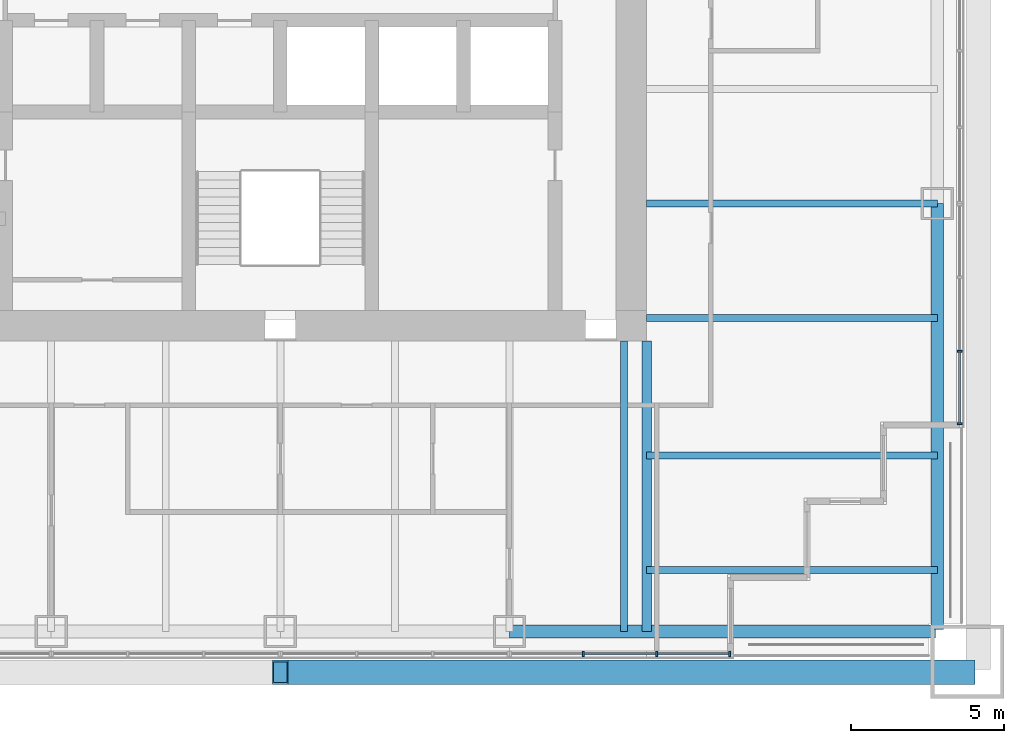
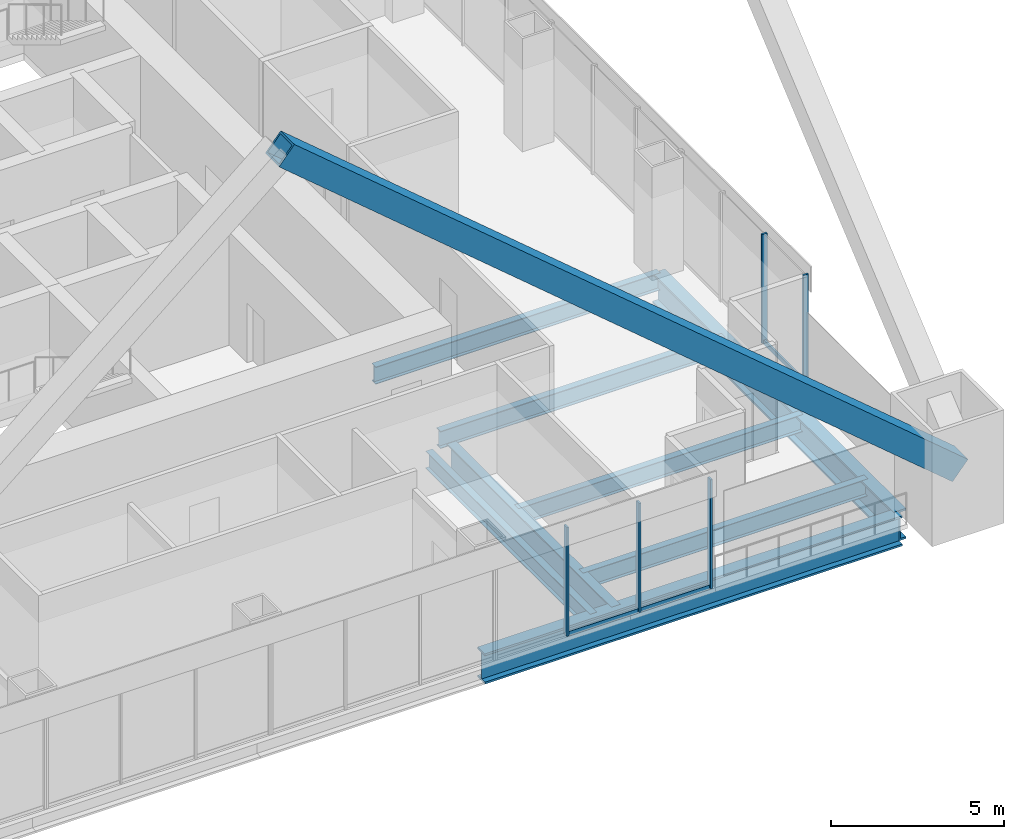
# One storey, part 6 of 19: 9 members, 8 beams, 2 elements without a shape of their own.
"""IFC4 building model written with IfcOpenShell, lengths in metres."""

import ifcopenshell
import ifcopenshell.guid

model = None  # the IFC model being written
_history = None  # IfcOwnerHistory: only IFC2X3 demands one
_inside = {}  # id of a spatial element -> (the spatial element, [elements in it])
_under = {}  # id of a project, library or spatial element -> (it, [spatial elements below it])
_declared = {}  # id of a project -> (the project, [libraries it declares])
_typed = {}  # id of a type object -> (the type object, [elements of that type])
_made_of = {}  # id of a material, layer set ... -> (it, [elements and type objects made of it])


def new_model(schema):
    """Start an empty IFC model of exactly this schema.

    Asked for "IFC4X3", IfcOpenShell would pick the latest addendum, in which some entities
    have other attributes; the version numbers below select the first issue.
    IFC2X3 requires an IfcOwnerHistory on every rooted entity: one is made here for all.
    """
    global model, _history
    if schema == "IFC4X3":
        model = ifcopenshell.file(schema_version=(4, 3, 0, 0))
    else:
        model = ifcopenshell.file(schema=schema)
    _inside.clear()
    _under.clear()
    _declared.clear()
    _typed.clear()
    _made_of.clear()
    _history = None
    if model.schema == "IFC2X3":
        org = make("IfcOrganization", Name="unknown")
        user = make(
            "IfcPersonAndOrganization",
            ThePerson=make("IfcPerson", FamilyName="unknown"),
            TheOrganization=org,
        )
        app = make(
            "IfcApplication",
            ApplicationDeveloper=org,
            Version="unknown",
            ApplicationFullName="unknown",
            ApplicationIdentifier="unknown",
        )
        _history = make(
            "IfcOwnerHistory",
            OwningUser=user,
            OwningApplication=app,
            ChangeAction="ADDED",
            CreationDate=0,
        )
    return model


def make(cls, **values):
    """One entity of the class cls with the attributes given. An attribute that is None is left unset."""
    return model.create_entity(
        cls, **{name: value for name, value in values.items() if value is not None}
    )


def rooted(cls, **values):
    """An entity with a GlobalId (a new one), such as an element, a storey or a relation."""
    return make(cls, GlobalId=ifcopenshell.guid.new(), OwnerHistory=_history, **values)


def si_unit(unit_type, name, prefix=None):
    """IfcSIUnit, for example si_unit("LENGTHUNIT", "METRE", prefix="MILLI")."""
    return make("IfcSIUnit", UnitType=unit_type, Prefix=prefix, Name=name)


def assignment(units):
    """IfcUnitAssignment: the units of a project."""
    return None if units is None else make("IfcUnitAssignment", Units=units)


def point(xyz):
    """IfcCartesianPoint."""
    return None if xyz is None else make("IfcCartesianPoint", Coordinates=xyz)


def direction(xyz):
    """IfcDirection."""
    return None if xyz is None else make("IfcDirection", DirectionRatios=xyz)


def frame(location, z_axis=None, x_axis=None):
    """IfcAxis2Placement3D, a coordinate frame: its origin and axes. An axis left out is left unset."""
    return make(
        "IfcAxis2Placement3D",
        Location=point(location),
        Axis=direction(z_axis),
        RefDirection=direction(x_axis),
    )


def frame_2d(location, x_axis=None):
    """IfcAxis2Placement2D, a coordinate frame in the plane: its origin and x axis."""
    return make(
        "IfcAxis2Placement2D", Location=point(location), RefDirection=direction(x_axis)
    )


def origin():
    """The frame at (0, 0, 0) with its axes left unset."""
    return frame((0.0, 0.0, 0.0))


def origin_2d():
    """The frame at (0, 0) in the plane with its x axis left unset."""
    return frame_2d((0.0, 0.0))


def place(relative_to, where):
    """IfcLocalPlacement: puts the frame where relative to a parent placement (None: the world)."""
    return make(
        "IfcLocalPlacement", PlacementRelTo=relative_to, RelativePlacement=where
    )


def context(
    kind, dimensions, precision=None, world=None, true_north=None, identifier=None
):
    """IfcGeometricRepresentationContext, for example the 3D "Model" context."""
    return make(
        "IfcGeometricRepresentationContext",
        ContextIdentifier=identifier,
        ContextType=kind,
        CoordinateSpaceDimension=dimensions,
        Precision=precision,
        WorldCoordinateSystem=world,
        TrueNorth=true_north,
    )


def subcontext(parent, identifier, kind, view, scale=None):
    """IfcGeometricRepresentationSubContext, for example "Body" below "Model"."""
    return make(
        "IfcGeometricRepresentationSubContext",
        ContextIdentifier=identifier,
        ContextType=kind,
        ParentContext=parent,
        TargetScale=scale,
        TargetView=view,
    )


def project(units=None, contexts=None):
    """IfcProject with its units and contexts."""
    return rooted(
        "IfcProject",
        Name="project",
        RepresentationContexts=contexts,
        UnitsInContext=assignment(units),
    )


def spatial(cls, under=None, at=None, **own):
    """A site, building, storey or space (cls), placed at a placement, below another one or the project."""
    s = rooted(cls, ObjectPlacement=at, **own)
    if under is not None:
        _under.setdefault(under.id(), (under, []))[1].append(s)
    return s


def profile(cls, at=None, kind="AREA", **sizes):
    """A parametric profile (cls). Its sizes go by their IFC names, for example OverallWidth=200.0."""
    return make(cls, ProfileType=kind, Position=at, **sizes)


def rectangle(**sizes):
    """IfcRectangleProfileDef."""
    return profile("IfcRectangleProfileDef", **sizes)


def hollow_rectangle(**sizes):
    """IfcRectangleHollowProfileDef."""
    return profile("IfcRectangleHollowProfileDef", **sizes)


def i_section(**sizes):
    """IfcIShapeProfileDef."""
    return profile("IfcIShapeProfileDef", **sizes)


def extrude(swept, where, along, depth):
    """IfcExtrudedAreaSolid: the profile swept, set in the frame where, extruded along a direction by depth."""
    return make(
        "IfcExtrudedAreaSolid",
        SweptArea=swept,
        Position=where,
        ExtrudedDirection=direction(along),
        Depth=depth,
    )


def shape(context_of_items, identifier, shape_type, items):
    """IfcShapeRepresentation: the items that make up one representation, for example the "Body"."""
    return make(
        "IfcShapeRepresentation",
        ContextOfItems=context_of_items,
        RepresentationIdentifier=identifier,
        RepresentationType=shape_type,
        Items=items,
    )


def material(Name=None, Category=None):
    """IfcMaterial."""
    return make("IfcMaterial", Name=Name, Category=Category)


def material_profile(
    of_material, cross_section, Name=None, Category=None, Priority=None
):
    """IfcMaterialProfile: a cross section and its material."""
    return make(
        "IfcMaterialProfile",
        Name=Name,
        Material=of_material,
        Profile=cross_section,
        Priority=Priority,
        Category=Category,
    )


def profile_set(profiles, Name=None, composite=None):
    """IfcMaterialProfileSet."""
    return make(
        "IfcMaterialProfileSet",
        Name=Name,
        MaterialProfiles=profiles,
        CompositeProfile=composite,
    )


def made_of(thing, what):
    """Note that an element or type object is made of a material, layer set ...; save() writes the relation."""
    if what is not None:
        _made_of.setdefault(what.id(), (what, []))[1].append(thing)
    return thing


def type_object(cls, material=None, **own):
    """A type object (cls), such as IfcWallType, which elements share."""
    return made_of(rooted(cls, **own), material)


def element(
    cls,
    number,
    at=None,
    inside=None,
    cuts=None,
    type_object=None,
    material=None,
    context=None,
    identifier="Body",
    shape_type=None,
    held_by="IfcProductDefinitionShape",
    body=None,
    shapes=None,
    **own,
):
    """One element of the class cls, such as IfcWall. Its Tag is "e" and its number.

    at: its placement. inside: the storey or other place that contains it. cuts: it is an
    opening in that element (IfcRelVoidsElement). A single representation is given by context,
    identifier, shape_type and body (its items); several are given by shapes. held_by: the class
    of the entity that holds the representations. save() writes the other relations.
    """
    e = rooted(cls, Tag="e%d" % number, ObjectPlacement=at, **own)
    if body is not None:
        shapes = [shape(context, identifier, shape_type, body)]
    if shapes is not None:
        e.Representation = make(held_by, Representations=shapes)
    if inside is not None:
        _inside.setdefault(inside.id(), (inside, []))[1].append(e)
    if cuts is not None:
        rooted(
            "IfcRelVoidsElement", RelatingBuildingElement=cuts, RelatedOpeningElement=e
        )
    if type_object is not None:
        _typed.setdefault(type_object.id(), (type_object, []))[1].append(e)
    return made_of(e, material)


def aggregate(whole, parts):
    """IfcRelAggregates: a whole, such as a stair, and the parts it consists of."""
    return rooted("IfcRelAggregates", RelatingObject=whole, RelatedObjects=parts)


def save(model, path):
    """Write the relations noted so far, then the file.

    IfcRelAggregates (storeys below a building ...), IfcRelContainedInSpatialStructure (elements
    in a storey), IfcRelDefinesByType, IfcRelAssociatesMaterial and IfcRelDeclares: one each for
    every whole, place, type object, material and project.
    """
    for whole, parts in _under.values():
        aggregate(whole, parts)
    for where, things in _inside.values():
        rooted(
            "IfcRelContainedInSpatialStructure",
            RelatedElements=things,
            RelatingStructure=where,
        )
    for kind, things in _typed.values():
        rooted("IfcRelDefinesByType", RelatedObjects=things, RelatingType=kind)
    for what, things in _made_of.values():
        rooted("IfcRelAssociatesMaterial", RelatedObjects=things, RelatingMaterial=what)
    for by, libraries in _declared.values():
        rooted("IfcRelDeclares", RelatingContext=by, RelatedDefinitions=libraries)
    model.write(path)


model = new_model("IFC4")

# Units and contexts
model_context = context("Model", 3, precision=1e-05, world=origin(), true_north=direction((0.0, 1.0)))
body_context = subcontext(model_context, "Body", "Model", "MODEL_VIEW")
ifc_project = project(units=[si_unit("LENGTHUNIT", "METRE"), si_unit("AREAUNIT", "SQUARE_METRE"), si_unit("VOLUMEUNIT", "CUBIC_METRE"), si_unit("PLANEANGLEUNIT", "RADIAN"), si_unit("MASSUNIT", "GRAM", prefix="KILO")], contexts=[model_context])

# Site, building, storey
site_placement = place(None, origin())
site = spatial("IfcSite", under=ifc_project, at=site_placement, CompositionType="ELEMENT")
building_placement = place(site_placement, origin())
building = spatial("IfcBuilding", under=site, at=building_placement, Name="Tarangal Relay Tower", CompositionType="ELEMENT")
storey_placement = place(building_placement, frame((0.0, 0.0, 213.89990234375)))
storey = spatial("IfcBuildingStorey", under=building, at=storey_placement, Name="L45", CompositionType="ELEMENT", Elevation=213.89990234375)

# Beams
ifc_material_1 = material(Name="Steel ASTM A992", Category="steel")
ifc_material_profile_1 = material_profile(ifc_material_1, i_section(OverallWidth=0.227783203125, OverallDepth=0.60205078125, WebThickness=0.010498046875, FlangeThickness=0.014892578125, at=origin_2d()), Name="W24X68")
ifc_profile_set_1 = profile_set([ifc_material_profile_1], Name="Steel ASTM A992")
beam_type_1 = type_object("IfcBeamType", Name="Corner beam W24X68", PredefinedType="JOIST", material=ifc_profile_set_1)
for number, where, z_axis, x_axis, name in (
    (1, (12.0, -15.75, -0.450927734375), (1.0, 0.0, 0.0), (0.0, 1.0, 0.0), "Corner beam CB11 E L45"),
    (2, (12.0, -19.5, -0.450927734375), (1.0, 0.0, 0.0), (0.0, 1.0, 0.0), "Corner beam CB11 E L45"),
):
    element("IfcBeam", number, at=place(storey_placement, frame(where, z_axis=z_axis, x_axis=x_axis)), inside=storey, type_object=beam_type_1, Name=name, PredefinedType="JOIST", context=body_context, shape_type="SweptSolid", body=[
        extrude(i_section(OverallWidth=0.227783203125, OverallDepth=0.60205078125, WebThickness=0.010498046875, FlangeThickness=0.014892578125, at=origin_2d()), origin(), (0.0, 0.0, 1.0), 9.514892578125),
    ])
ifc_material_profile_2 = material_profile(ifc_material_1, i_section(OverallWidth=0.307373046875, OverallDepth=0.9423828125, WebThickness=0.022216796875, FlangeThickness=0.039794921875, at=origin_2d()), Name="W36X232")
ifc_profile_set_2 = profile_set([ifc_material_profile_2], Name="Steel ASTM A992")
beam_type_2 = type_object("IfcBeamType", Name="Corner girder W36X232", PredefinedType="BEAM", material=ifc_profile_set_2)
beam_placement = place(storey_placement, frame((12.0, -12.0, -0.62109375), z_axis=(0.0, -1.0, 0.0), x_axis=(1.0, 0.0, 0.0)))
element("IfcBeam", 3, at=beam_placement, inside=storey, type_object=beam_type_2, Name="Corner girder CG4 E L45", PredefinedType="BEAM", context=body_context, shape_type="SweptSolid", body=[
    extrude(i_section(OverallWidth=0.307373046875, OverallDepth=0.9423828125, WebThickness=0.022216796875, FlangeThickness=0.039794921875, at=origin_2d()), origin(), (0.0, 0.0, 1.0), 9.514892578125),
])
ifc_material_profile_3 = material_profile(ifc_material_1, i_section(OverallWidth=0.41650390625, OverallDepth=1.0693359375, WebThickness=0.0390625, FlangeThickness=0.070068359375, at=origin_2d()), Name="W40X503")
ifc_profile_set_3 = profile_set([ifc_material_profile_3], Name="Steel ASTM A992")
beam_type_3 = type_object("IfcBeamType", Name="Edge girder W40X503", PredefinedType="SPANDREL", material=ifc_profile_set_3)
for number, where, z_axis, x_axis, name in (
    (4, (21.514892578125, -7.5, -0.6845703125), (0.0, -1.0, 0.0), (1.0, 0.0, 0.0), "Edge girder EG8 E L45"),
    (5, (21.449951171875, -21.514892578125, -0.6845703125), (-1.0, 0.0, 0.0), (0.0, -1.0, 0.0), "Edge girder EG8 S L45"),
):
    element("IfcBeam", number, at=place(storey_placement, frame(where, z_axis=z_axis, x_axis=x_axis)), inside=storey, type_object=beam_type_3, Name=name, PredefinedType="SPANDREL", context=body_context, shape_type="SweptSolid", body=[
        extrude(i_section(OverallWidth=0.41650390625, OverallDepth=1.0693359375, WebThickness=0.0390625, FlangeThickness=0.070068359375, at=origin_2d()), origin(), (0.0, 0.0, 1.0), 13.949951171875),
    ])
ifc_material_profile_4 = material_profile(ifc_material_1, i_section(OverallWidth=0.22900390625, OverallDepth=0.612060546875, WebThickness=0.011962890625, FlangeThickness=0.01953125, at=origin_2d()), Name="W24X84")
ifc_profile_set_4 = profile_set([ifc_material_profile_4], Name="Steel ASTM A992")
beam_type_4 = type_object("IfcBeamType", Name="Floor beam W24X84", PredefinedType="BEAM", material=ifc_profile_set_4)
for number, where, z_axis, x_axis, name in (
    (6, (12.0, -7.5, -0.455810546875), (1.0, 0.0, 0.0), (0.0, 1.0, 0.0), "Floor beam RB12 E L45"),
    (7, (12.0, -11.25, -0.455810546875), (1.0, 0.0, 0.0), (0.0, 1.0, 0.0), "Floor beam RB12 E L45"),
    (8, (11.25, -12.0, -0.455810546875), (0.0, -1.0, 0.0), (1.0, 0.0, 0.0), "Floor beam RB12 S L45"),
):
    element("IfcBeam", number, at=place(storey_placement, frame(where, z_axis=z_axis, x_axis=x_axis)), inside=storey, type_object=beam_type_4, Name=name, PredefinedType="BEAM", context=body_context, shape_type="SweptSolid", body=[
        extrude(i_section(OverallWidth=0.22900390625, OverallDepth=0.612060546875, WebThickness=0.011962890625, FlangeThickness=0.01953125, at=origin_2d()), origin(), (0.0, 0.0, 1.0), 9.514892578125),
    ])

# Member
ifc_material_2 = material(Name="Steel ASTM A572 Grade 50", Category="steel")
ifc_material_profile_5 = material_profile(ifc_material_2, hollow_rectangle(XDim=0.800048828125, YDim=0.800048828125, WallThickness=0.06494140625, at=origin_2d()), Name="BOX800X800X65")
ifc_profile_set_5 = profile_set([ifc_material_profile_5], Name="Steel ASTM A572 Grade 50")
member_type_1 = type_object("IfcMemberType", Name="Mega brace BOX800X800X65", PredefinedType="BRACE", material=ifc_profile_set_5)
member_1_placement = place(storey_placement, frame((22.5, -22.85009765625, 2.0), z_axis=(-0.764029915847, 0.0, 0.645180817826), x_axis=(0.0, -1.0, 0.0)))
element("IfcMember", 9, at=member_1_placement, inside=storey, type_object=member_type_1, Name="Mega brace MB3 S face module 2", PredefinedType="BRACE", context=body_context, shape_type="SweptSolid", body=[
    extrude(hollow_rectangle(XDim=0.800048828125, YDim=0.800048828125, WallThickness=0.06494140625, at=origin_2d()), origin(), (0.0, 0.0, 1.0), 29.44921875),
])

# Curtain wall, members
ifc_material_3 = material(Name="Unitised curtain wall, dark glass and black aluminium", Category="aluminium")
curtain_wall_type = type_object("IfcCurtainWallType", Name="Curtain wall CW-A", PredefinedType="USERDEFINED", material=ifc_material_3)
curtain_wall_1_placement = place(storey_placement, origin())
curtain_wall_1 = element("IfcCurtainWall", 10, at=curtain_wall_1_placement, inside=storey, type_object=curtain_wall_type, Name="Curtain wall CW-A E facade L45", ObjectType="UNITISED CURTAIN WALL", PredefinedType="USERDEFINED")
ifc_material_4 = material(Name="Black anodised aluminium mullion", Category="aluminium")
ifc_material_profile_6 = material_profile(ifc_material_4, rectangle(XDim=0.175048828125, YDim=0.06494140625, at=origin_2d()), Name="CW-AM 65X175")
ifc_profile_set_6 = profile_set([ifc_material_profile_6], Name="Black anodised aluminium mullion")
member_type_2 = type_object("IfcMemberType", Name="Mullion CW-A 65 x 175", PredefinedType="MULLION", material=ifc_profile_set_6)
member_2_placement = place(storey_placement, frame((22.25, -12.333251953125, 0.0), z_axis=(0.0, 0.0, 1.0), x_axis=(1.0, 0.0, 0.0)))
member_2 = element("IfcMember", 11, at=member_2_placement, type_object=member_type_2, Name="CW-A mullion 3", PredefinedType="MULLION", context=body_context, shape_type="SweptSolid", body=[
    extrude(rectangle(XDim=0.175048828125, YDim=0.06494140625, at=origin_2d()), origin(), (0.0, 0.0, 1.0), 3.85009765625),
])
member_3_placement = place(storey_placement, frame((22.25, -14.717529296875, 0.0), z_axis=(0.0, 0.0, 1.0), x_axis=(1.0, 0.0, 0.0)))
member_3 = element("IfcMember", 12, at=member_3_placement, type_object=member_type_2, Name="CW-A mullion 4", PredefinedType="MULLION", context=body_context, shape_type="SweptSolid", body=[
    extrude(rectangle(XDim=0.175048828125, YDim=0.06494140625, at=origin_2d()), origin(), (0.0, 0.0, 1.0), 3.85009765625),
])

curtain_wall_2_placement = place(storey_placement, origin())
curtain_wall_2 = element("IfcCurtainWall", 13, at=curtain_wall_2_placement, inside=storey, type_object=curtain_wall_type, Name="Curtain wall CW-A S facade L45", ObjectType="UNITISED CURTAIN WALL", PredefinedType="USERDEFINED")
member_4_placement = place(storey_placement, frame((14.717529296875, -22.25, 0.0), z_axis=(0.0, 0.0, 1.0), x_axis=(0.0, -1.0, 0.0)))
member_4 = element("IfcMember", 14, at=member_4_placement, type_object=member_type_2, Name="CW-A mullion 1", PredefinedType="MULLION", context=body_context, shape_type="SweptSolid", body=[
    extrude(rectangle(XDim=0.175048828125, YDim=0.06494140625, at=origin_2d()), origin(), (0.0, 0.0, 1.0), 3.85009765625),
])
member_5_placement = place(storey_placement, frame((12.333251953125, -22.25, 0.0), z_axis=(0.0, 0.0, 1.0), x_axis=(0.0, -1.0, 0.0)))
member_5 = element("IfcMember", 15, at=member_5_placement, type_object=member_type_2, Name="CW-A mullion 2", PredefinedType="MULLION", context=body_context, shape_type="SweptSolid", body=[
    extrude(rectangle(XDim=0.175048828125, YDim=0.06494140625, at=origin_2d()), origin(), (0.0, 0.0, 1.0), 3.85009765625),
])
member_6_placement = place(storey_placement, frame((9.916748046875, -22.25, 0.0), z_axis=(0.0, 0.0, 1.0), x_axis=(0.0, -1.0, 0.0)))
member_6 = element("IfcMember", 16, at=member_6_placement, type_object=member_type_2, Name="CW-A mullion 3", PredefinedType="MULLION", context=body_context, shape_type="SweptSolid", body=[
    extrude(rectangle(XDim=0.175048828125, YDim=0.06494140625, at=origin_2d()), origin(), (0.0, 0.0, 1.0), 3.85009765625),
])

# Member
ifc_material_5 = material(Name="Black anodised aluminium transom", Category="aluminium")
ifc_material_profile_7 = material_profile(ifc_material_5, rectangle(XDim=0.06494140625, YDim=0.14990234375, at=origin_2d()), Name="CW-AT 65X150")
ifc_profile_set_7 = profile_set([ifc_material_profile_7], Name="Black anodised aluminium transom")
member_type_3 = type_object("IfcMemberType", Name="Transom CW-A 65 x 150", PredefinedType="USERDEFINED", material=ifc_profile_set_7)
member_7_placement = place(storey_placement, frame((22.25, -12.36572265625, 0.03271484375), z_axis=(0.0, -1.0, 0.0), x_axis=(1.0, 0.0, 0.0)))
member_7 = element("IfcMember", 17, at=member_7_placement, type_object=member_type_3, Name="CW-A transom 3.1", ObjectType="TRANSOM", PredefinedType="USERDEFINED", context=body_context, shape_type="SweptSolid", body=[
    extrude(rectangle(XDim=0.06494140625, YDim=0.14990234375, at=origin_2d()), origin(), (0.0, 0.0, 1.0), 2.3193359375),
])

aggregate(curtain_wall_1, [member_2, member_3, member_7])

member_8_placement = place(storey_placement, frame((14.68505859375, -22.25, 0.03271484375), z_axis=(-1.0, 0.0, 0.0), x_axis=(0.0, -1.0, 0.0)))
member_8 = element("IfcMember", 18, at=member_8_placement, type_object=member_type_3, Name="CW-A transom 1.1", ObjectType="TRANSOM", PredefinedType="USERDEFINED", context=body_context, shape_type="SweptSolid", body=[
    extrude(rectangle(XDim=0.06494140625, YDim=0.14990234375, at=origin_2d()), origin(), (0.0, 0.0, 1.0), 2.3193359375),
])

member_9_placement = place(storey_placement, frame((12.30078125, -22.25, 0.03271484375), z_axis=(-1.0, 0.0, 0.0), x_axis=(0.0, -1.0, 0.0)))
member_9 = element("IfcMember", 19, at=member_9_placement, type_object=member_type_3, Name="CW-A transom 2.1", ObjectType="TRANSOM", PredefinedType="USERDEFINED", context=body_context, shape_type="SweptSolid", body=[
    extrude(rectangle(XDim=0.06494140625, YDim=0.14990234375, at=origin_2d()), origin(), (0.0, 0.0, 1.0), 2.3515625),
])

aggregate(curtain_wall_2, [member_4, member_5, member_6, member_8, member_9])

save(model, "model.ifc")
